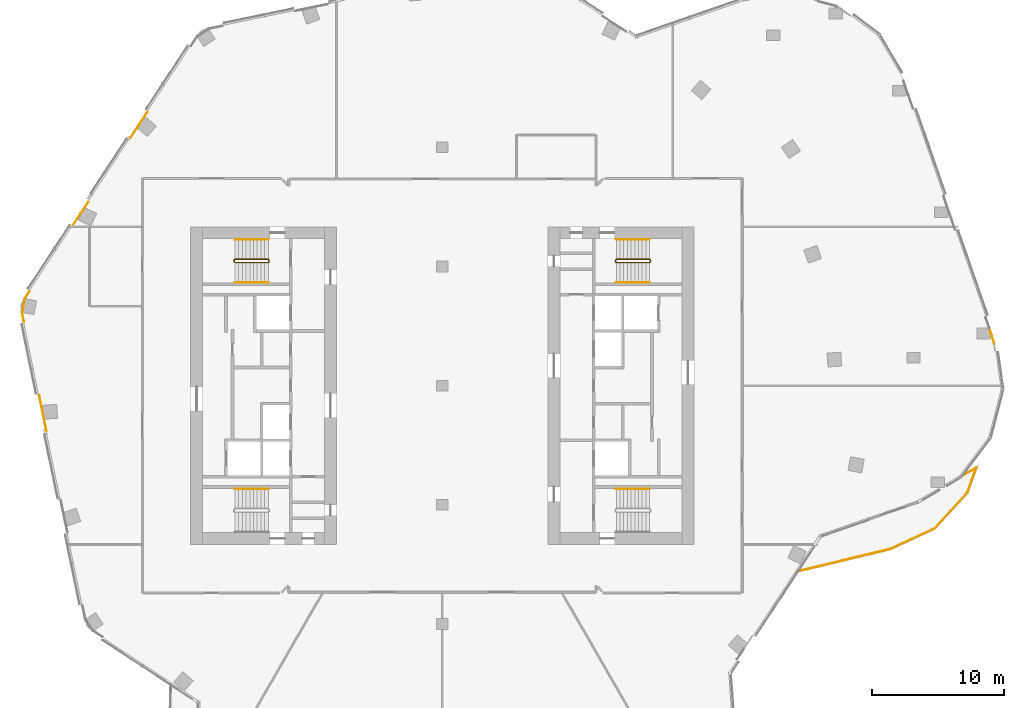
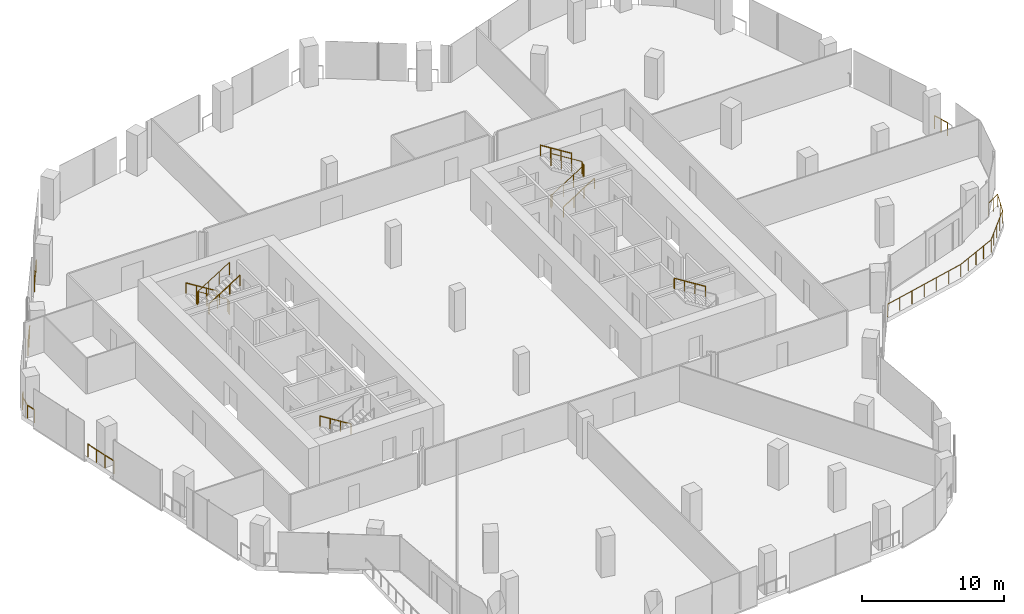
# One storey, part 24 of 26: 14 railings.
"""IFC4 building model written with IfcOpenShell, lengths in metres."""

from ifc_helpers import new_model, si_unit, direction, frame, origin, origin_2d, place, context, subcontext, project, spatial, circle, extrude, material, type_object, element, save


model = new_model("IFC4")

# Units and contexts
model_context = context("Model", 3, precision=1e-05, world=origin(), true_north=direction((0.0, 1.0)))
body_context = subcontext(model_context, "Body", "Model", "MODEL_VIEW")
ifc_project = project(units=[si_unit("LENGTHUNIT", "METRE"), si_unit("AREAUNIT", "SQUARE_METRE"), si_unit("VOLUMEUNIT", "CUBIC_METRE"), si_unit("PLANEANGLEUNIT", "RADIAN"), si_unit("MASSUNIT", "GRAM", prefix="KILO")], contexts=[model_context])

# Site, building, storey
site_placement = place(None, origin())
site = spatial("IfcSite", under=ifc_project, at=site_placement, CompositionType="ELEMENT")
building_placement = place(site_placement, origin())
building = spatial("IfcBuilding", under=site, at=building_placement, Name="Orlundy Tower", CompositionType="ELEMENT")
storey_placement = place(building_placement, frame((0.0, 0.0, 232.0)))
storey = spatial("IfcBuildingStorey", under=building, at=storey_placement, Name="L61", CompositionType="ELEMENT", Elevation=232.0)

# Railings
ifc_material_1 = material(Name="Steel balustrade", Category="steel")
railing_type_1 = type_object("IfcRailingType", Name="Stair Guard 1100", PredefinedType="GUARDRAIL", material=ifc_material_1)
railing_1_placement = place(storey_placement, frame((-13.090087890625, 9.5, 0.0)))
element("IfcRailing", 1, at=railing_1_placement, inside=storey, type_object=railing_type_1, Name="L61 ST-W1 stair guard 1", PredefinedType="GUARDRAIL", context=body_context, shape_type="SweptSolid", body=[
    extrude(circle(Radius=0.02392578125, at=origin_2d()), frame((0.0, 0.0, 1.076171875), z_axis=(0.0, -1.0, 0.0), x_axis=(1.0, 0.0, 0.0)), (0.0, 0.0, 1.0), 0.14990234375),
    extrude(circle(Radius=0.02392578125, at=origin_2d()), frame((0.0, -0.14990234375, 1.076171875), z_axis=(-0.18420542264, 0.739530593833, 0.647427882513), x_axis=(-0.970351222016, -0.241699205484, 0.0)), (0.0, 0.0, 1.0), 0.270263671875),
    extrude(circle(Radius=0.02392578125, at=origin_2d()), frame((-0.0498046875, 0.050048828125, 1.2509765625), z_axis=(-0.848007534815, 0.0, 0.529984170421), x_axis=(0.0, -1.0, 0.0)), (0.0, 0.0, 1.0), 2.9716796875),
    extrude(circle(Radius=0.02392578125, at=origin_2d()), frame((-2.56982421875, 0.050048828125, 2.826171875), z_axis=(-0.707106781187, -0.707106781187, 0.0), x_axis=(0.707106781187, -0.707106781187, 0.0)), (0.0, 0.0, 1.0), 0.07080078125),
    extrude(circle(Radius=0.02392578125, at=origin_2d()), frame((-2.619873046875, 0.0, 2.826171875), z_axis=(0.0, -1.0, 0.0), x_axis=(1.0, 0.0, 0.0)), (0.0, 0.0, 1.0), 0.14990234375),
    extrude(circle(Radius=0.02392578125, at=origin_2d()), frame((-2.619873046875, -0.14990234375, 2.826171875), z_axis=(0.265065253269, -0.265065253269, 0.927081885822), x_axis=(0.707106781187, 0.707106781187, 0.0)), (0.0, 0.0, 1.0), 0.188720703125),
    extrude(circle(Radius=0.02392578125, at=origin_2d()), frame((-2.56982421875, -0.199951171875, 3.0009765625), z_axis=(0.848007534815, 0.0, 0.529984170421), x_axis=(0.0, 1.0, 0.0)), (0.0, 0.0, 1.0), 2.9716796875),
    extrude(circle(Radius=0.02099609375, at=origin_2d()), origin(), (0.0, 0.0, 1.0), 1.052001953125),
    extrude(circle(Radius=0.02099609375, at=origin_2d()), frame((0.0, -0.14990234375, 0.0)), (0.0, 0.0, 1.0), 1.052001953125),
    extrude(circle(Radius=0.02099609375, at=origin_2d()), frame((-0.0498046875, 0.050048828125, 0.175048828125)), (0.0, 0.0, 1.0), 1.052001953125),
    extrude(circle(Radius=0.02099609375, at=origin_2d()), frame((-0.889892578125, 0.050048828125, 0.699951171875)), (0.0, 0.0, 1.0), 1.052001953125),
    extrude(circle(Radius=0.02099609375, at=origin_2d()), frame((-1.729736328125, 0.050048828125, 1.22509765625)), (0.0, 0.0, 1.0), 1.052001953125),
    extrude(circle(Radius=0.02099609375, at=origin_2d()), frame((-2.56982421875, 0.050048828125, 1.75)), (0.0, 0.0, 1.0), 1.052001953125),
    extrude(circle(Radius=0.02099609375, at=origin_2d()), frame((-2.619873046875, 0.0, 1.75)), (0.0, 0.0, 1.0), 1.052001953125),
    extrude(circle(Radius=0.02099609375, at=origin_2d()), frame((-2.619873046875, -0.14990234375, 1.75)), (0.0, 0.0, 1.0), 1.052001953125),
    extrude(circle(Radius=0.02099609375, at=origin_2d()), frame((-2.56982421875, -0.199951171875, 1.925048828125)), (0.0, 0.0, 1.0), 1.052001953125),
    extrude(circle(Radius=0.02099609375, at=origin_2d()), frame((-1.729736328125, -0.199951171875, 2.449951171875)), (0.0, 0.0, 1.0), 1.052001953125),
    extrude(circle(Radius=0.02099609375, at=origin_2d()), frame((-0.889892578125, -0.199951171875, 2.97509765625)), (0.0, 0.0, 1.0), 1.052001953125),
    extrude(circle(Radius=0.02099609375, at=origin_2d()), frame((-0.0498046875, -0.199951171875, 3.5)), (0.0, 0.0, 1.0), 1.052001953125),
])
railing_2_placement = place(storey_placement, frame((13.090087890625, 9.35009765625, 0.0)))
element("IfcRailing", 2, at=railing_2_placement, inside=storey, type_object=railing_type_1, Name="L61 ST-E2 stair guard 1", PredefinedType="GUARDRAIL", context=body_context, shape_type="SweptSolid", body=[
    extrude(circle(Radius=0.02392578125, at=origin_2d()), frame((0.0, 0.0, 1.076171875), z_axis=(0.0, 1.0, 0.0), x_axis=(-1.0, 0.0, 0.0)), (0.0, 0.0, 1.0), 0.14990234375),
    extrude(circle(Radius=0.02392578125, at=origin_2d()), frame((0.0, 0.14990234375, 1.076171875), z_axis=(0.18420542264, -0.739530593833, 0.647427882513), x_axis=(0.970351222016, 0.241699205484, 0.0)), (0.0, 0.0, 1.0), 0.270263671875),
    extrude(circle(Radius=0.02392578125, at=origin_2d()), frame((0.0498046875, -0.050048828125, 1.2509765625), z_axis=(0.848007534815, 0.0, 0.529984170421), x_axis=(0.0, 1.0, 0.0)), (0.0, 0.0, 1.0), 2.9716796875),
    extrude(circle(Radius=0.02392578125, at=origin_2d()), frame((2.56982421875, -0.050048828125, 2.826171875), z_axis=(0.707106781187, 0.707106781187, 0.0), x_axis=(-0.707106781187, 0.707106781187, 0.0)), (0.0, 0.0, 1.0), 0.07080078125),
    extrude(circle(Radius=0.02392578125, at=origin_2d()), frame((2.619873046875, 0.0, 2.826171875), z_axis=(0.0, 1.0, 0.0), x_axis=(-1.0, 0.0, 0.0)), (0.0, 0.0, 1.0), 0.14990234375),
    extrude(circle(Radius=0.02392578125, at=origin_2d()), frame((2.619873046875, 0.14990234375, 2.826171875), z_axis=(-0.265065253269, 0.265065253269, 0.927081885822), x_axis=(-0.707106781187, -0.707106781187, 0.0)), (0.0, 0.0, 1.0), 0.188720703125),
    extrude(circle(Radius=0.02392578125, at=origin_2d()), frame((2.56982421875, 0.199951171875, 3.0009765625), z_axis=(-0.848007534815, 0.0, 0.529984170421), x_axis=(0.0, -1.0, 0.0)), (0.0, 0.0, 1.0), 2.9716796875),
    extrude(circle(Radius=0.02099609375, at=origin_2d()), origin(), (0.0, 0.0, 1.0), 1.052001953125),
    extrude(circle(Radius=0.02099609375, at=origin_2d()), frame((0.0, 0.14990234375, 0.0)), (0.0, 0.0, 1.0), 1.052001953125),
    extrude(circle(Radius=0.02099609375, at=origin_2d()), frame((0.0498046875, -0.050048828125, 0.175048828125)), (0.0, 0.0, 1.0), 1.052001953125),
    extrude(circle(Radius=0.02099609375, at=origin_2d()), frame((0.889892578125, -0.050048828125, 0.699951171875)), (0.0, 0.0, 1.0), 1.052001953125),
    extrude(circle(Radius=0.02099609375, at=origin_2d()), frame((1.729736328125, -0.050048828125, 1.22509765625)), (0.0, 0.0, 1.0), 1.052001953125),
    extrude(circle(Radius=0.02099609375, at=origin_2d()), frame((2.56982421875, -0.050048828125, 1.75)), (0.0, 0.0, 1.0), 1.052001953125),
    extrude(circle(Radius=0.02099609375, at=origin_2d()), frame((2.619873046875, 0.0, 1.75)), (0.0, 0.0, 1.0), 1.052001953125),
    extrude(circle(Radius=0.02099609375, at=origin_2d()), frame((2.619873046875, 0.14990234375, 1.75)), (0.0, 0.0, 1.0), 1.052001953125),
    extrude(circle(Radius=0.02099609375, at=origin_2d()), frame((2.56982421875, 0.199951171875, 1.925048828125)), (0.0, 0.0, 1.0), 1.052001953125),
    extrude(circle(Radius=0.02099609375, at=origin_2d()), frame((1.729736328125, 0.199951171875, 2.449951171875)), (0.0, 0.0, 1.0), 1.052001953125),
    extrude(circle(Radius=0.02099609375, at=origin_2d()), frame((0.889892578125, 0.199951171875, 2.97509765625)), (0.0, 0.0, 1.0), 1.052001953125),
    extrude(circle(Radius=0.02099609375, at=origin_2d()), frame((0.0498046875, 0.199951171875, 3.5)), (0.0, 0.0, 1.0), 1.052001953125),
])
ifc_material_2 = material(Name="Steel handrail", Category="steel")
railing_type_2 = type_object("IfcRailingType", Name="Stair Handrail 900", PredefinedType="HANDRAIL", material=ifc_material_2)
railing_3_placement = place(storey_placement, frame((-13.139892578125, 11.050048828125, 0.175048828125)))
element("IfcRailing", 3, at=railing_3_placement, inside=storey, type_object=railing_type_2, Name="L61 ST-W1 stair handrail 1", PredefinedType="HANDRAIL", context=body_context, shape_type="SweptSolid", body=[
    extrude(circle(Radius=0.02392578125, at=origin_2d()), frame((0.0, 0.0, 0.8759765625), z_axis=(-0.848007534815, 0.0, 0.529984170421), x_axis=(0.0, -1.0, 0.0)), (0.0, 0.0, 1.0), 2.9716796875),
    extrude(circle(Radius=0.02099609375, at=origin_2d()), origin(), (0.0, 0.0, 1.0), 0.851806640625),
    extrude(circle(Radius=0.02099609375, at=origin_2d()), frame((-0.840087890625, 0.0, 0.52490234375)), (0.0, 0.0, 1.0), 0.851806640625),
    extrude(circle(Radius=0.02099609375, at=origin_2d()), frame((-1.679931640625, 0.0, 1.050048828125)), (0.0, 0.0, 1.0), 0.851806640625),
    extrude(circle(Radius=0.02099609375, at=origin_2d()), frame((-2.52001953125, 0.0, 1.574951171875)), (0.0, 0.0, 1.0), 0.851806640625),
])
railing_4_placement = place(storey_placement, frame((-15.659912109375, 7.800048828125, 1.925048828125)))
element("IfcRailing", 4, at=railing_4_placement, inside=storey, type_object=railing_type_2, Name="L61 ST-W1 stair handrail 2", PredefinedType="HANDRAIL", context=body_context, shape_type="SweptSolid", body=[
    extrude(circle(Radius=0.02392578125, at=origin_2d()), frame((0.0, 0.0, 0.8759765625), z_axis=(0.848007534815, 0.0, 0.529984170421), x_axis=(0.0, 1.0, 0.0)), (0.0, 0.0, 1.0), 2.9716796875),
    extrude(circle(Radius=0.02099609375, at=origin_2d()), origin(), (0.0, 0.0, 1.0), 0.851806640625),
    extrude(circle(Radius=0.02099609375, at=origin_2d()), frame((0.840087890625, 0.0, 0.52490234375)), (0.0, 0.0, 1.0), 0.851806640625),
    extrude(circle(Radius=0.02099609375, at=origin_2d()), frame((1.679931640625, 0.0, 1.050048828125)), (0.0, 0.0, 1.0), 0.851806640625),
    extrude(circle(Radius=0.02099609375, at=origin_2d()), frame((2.52001953125, 0.0, 1.574951171875)), (0.0, 0.0, 1.0), 0.851806640625),
])
for number, where, name in (
    (5, (-13.139892578125, -7.800048828125, 0.175048828125), "L61 ST-W2 stair handrail 1"),
    (6, (15.659912109375, -7.800048828125, 1.925048828125), "L61 ST-E1 stair handrail 2"),
):
    element("IfcRailing", number, at=place(storey_placement, frame(where)), inside=storey, type_object=railing_type_2, Name=name, PredefinedType="HANDRAIL", context=body_context, shape_type="SweptSolid", body=[
        extrude(circle(Radius=0.02392578125, at=origin_2d()), frame((0.0, 0.0, 0.8759765625), z_axis=(-0.848007534815, 0.0, 0.529984170421), x_axis=(0.0, -1.0, 0.0)), (0.0, 0.0, 1.0), 2.9716796875),
        extrude(circle(Radius=0.02099609375, at=origin_2d()), origin(), (0.0, 0.0, 1.0), 0.851806640625),
        extrude(circle(Radius=0.02099609375, at=origin_2d()), frame((-0.840087890625, 0.0, 0.52490234375)), (0.0, 0.0, 1.0), 0.851806640625),
        extrude(circle(Radius=0.02099609375, at=origin_2d()), frame((-1.679931640625, 0.0, 1.050048828125)), (0.0, 0.0, 1.0), 0.851806640625),
        extrude(circle(Radius=0.02099609375, at=origin_2d()), frame((-2.52001953125, 0.0, 1.574951171875)), (0.0, 0.0, 1.0), 0.851806640625),
    ])
railing_5_placement = place(storey_placement, frame((13.139892578125, 7.800048828125, 0.175048828125)))
element("IfcRailing", 7, at=railing_5_placement, inside=storey, type_object=railing_type_2, Name="L61 ST-E2 stair handrail 1", PredefinedType="HANDRAIL", context=body_context, shape_type="SweptSolid", body=[
    extrude(circle(Radius=0.02392578125, at=origin_2d()), frame((0.0, 0.0, 0.8759765625), z_axis=(0.848007534815, 0.0, 0.529984170421), x_axis=(0.0, 1.0, 0.0)), (0.0, 0.0, 1.0), 2.9716796875),
    extrude(circle(Radius=0.02099609375, at=origin_2d()), origin(), (0.0, 0.0, 1.0), 0.851806640625),
    extrude(circle(Radius=0.02099609375, at=origin_2d()), frame((0.840087890625, 0.0, 0.52490234375)), (0.0, 0.0, 1.0), 0.851806640625),
    extrude(circle(Radius=0.02099609375, at=origin_2d()), frame((1.679931640625, 0.0, 1.050048828125)), (0.0, 0.0, 1.0), 0.851806640625),
    extrude(circle(Radius=0.02099609375, at=origin_2d()), frame((2.52001953125, 0.0, 1.574951171875)), (0.0, 0.0, 1.0), 0.851806640625),
])
railing_6_placement = place(storey_placement, frame((15.659912109375, 11.050048828125, 1.925048828125)))
element("IfcRailing", 8, at=railing_6_placement, inside=storey, type_object=railing_type_2, Name="L61 ST-E2 stair handrail 2", PredefinedType="HANDRAIL", context=body_context, shape_type="SweptSolid", body=[
    extrude(circle(Radius=0.02392578125, at=origin_2d()), frame((0.0, 0.0, 0.8759765625), z_axis=(-0.848007534815, 0.0, 0.529984170421), x_axis=(0.0, -1.0, 0.0)), (0.0, 0.0, 1.0), 2.9716796875),
    extrude(circle(Radius=0.02099609375, at=origin_2d()), origin(), (0.0, 0.0, 1.0), 0.851806640625),
    extrude(circle(Radius=0.02099609375, at=origin_2d()), frame((-0.840087890625, 0.0, 0.52490234375)), (0.0, 0.0, 1.0), 0.851806640625),
    extrude(circle(Radius=0.02099609375, at=origin_2d()), frame((-1.679931640625, 0.0, 1.050048828125)), (0.0, 0.0, 1.0), 0.851806640625),
    extrude(circle(Radius=0.02099609375, at=origin_2d()), frame((-2.52001953125, 0.0, 1.574951171875)), (0.0, 0.0, 1.0), 0.851806640625),
])
ifc_material_3 = material(Name="Stainless steel bronze finish", Category="steel")
railing_type_3 = type_object("IfcRailingType", Name="TG1 terrace guard", PredefinedType="GUARDRAIL", material=ifc_material_3)
railing_7_placement = place(storey_placement, frame((-29.8837890625, -3.4287109375, 0.0)))
element("IfcRailing", 9, at=railing_7_placement, inside=storey, type_object=railing_type_3, Name="Guard TG-L61-E03", PredefinedType="GUARDRAIL", context=body_context, shape_type="SweptSolid", body=[
    extrude(circle(Radius=0.02490234375, at=origin_2d()), frame((0.0, 0.0, 1.09521484375), z_axis=(-0.202245280583, 0.979334900063, 0.0), x_axis=(-0.979334900063, -0.202245280583, 0.0)), (0.0, 0.0, 1.0), 2.755859375),
    extrude(circle(Radius=0.02001953125, at=origin_2d()), origin(), (0.0, 0.0, 1.0), 1.070068359375),
    extrude(circle(Radius=0.02001953125, at=origin_2d()), frame((-0.185791015625, 0.899658203125, 0.0)), (0.0, 0.0, 1.0), 1.070068359375),
    extrude(circle(Radius=0.02001953125, at=origin_2d()), frame((-0.37158203125, 1.79931640625, 0.0)), (0.0, 0.0, 1.0), 1.070068359375),
    extrude(circle(Radius=0.02001953125, at=origin_2d()), frame((-0.557373046875, 2.698974609375, 0.0)), (0.0, 0.0, 1.0), 1.070068359375),
])
railing_8_placement = place(storey_placement, frame((-31.58544921875, 4.811767578125, 0.0)))
element("IfcRailing", 10, at=railing_8_placement, inside=storey, type_object=railing_type_3, Name="Guard TG-L61-E011", PredefinedType="GUARDRAIL", context=body_context, shape_type="SweptSolid", body=[
    extrude(circle(Radius=0.02490234375, at=origin_2d()), frame((0.0, 0.0, 1.09521484375), z_axis=(-0.202332511066, 0.979316881793, 0.0), x_axis=(-0.979316881793, -0.202332511066, 0.0)), (0.0, 0.0, 1.0), 0.70947265625),
    extrude(circle(Radius=0.02490234375, at=origin_2d()), frame((-0.1435546875, 0.69482421875, 1.09521484375), z_axis=(0.188072270788, 0.982155191892, 0.0), x_axis=(-0.982155191892, 0.188072270788, 0.0)), (0.0, 0.0, 1.0), 1.10986328125),
    extrude(circle(Radius=0.02490234375, at=origin_2d()), frame((0.065185546875, 1.784912109375, 1.09521484375), z_axis=(0.549274735187, 0.835641828348, 0.0), x_axis=(-0.835641828348, 0.549274735187, 0.0)), (0.0, 0.0, 1.0), 0.603515625),
    extrude(circle(Radius=0.02001953125, at=origin_2d()), origin(), (0.0, 0.0, 1.0), 1.070068359375),
    extrude(circle(Radius=0.02001953125, at=origin_2d()), frame((-0.1435546875, 0.69482421875, 0.0)), (0.0, 0.0, 1.0), 1.070068359375),
    extrude(circle(Radius=0.02001953125, at=origin_2d()), frame((0.065185546875, 1.784912109375, 0.0)), (0.0, 0.0, 1.0), 1.070068359375),
    extrude(circle(Radius=0.02001953125, at=origin_2d()), frame((0.396728515625, 2.289306640625, 0.0)), (0.0, 0.0, 1.0), 1.070068359375),
])
railing_9_placement = place(storey_placement, frame((-23.555419921875, 18.70654296875, 0.0)))
element("IfcRailing", 11, at=railing_9_placement, inside=storey, type_object=railing_type_3, Name="Guard TG-L61-E013", PredefinedType="GUARDRAIL", context=body_context, shape_type="SweptSolid", body=[
    extrude(circle(Radius=0.02490234375, at=origin_2d()), frame((0.0, 0.0, 1.09521484375), z_axis=(0.549472324623, 0.835511917613, 0.0), x_axis=(-0.835511917613, 0.549472324623, 0.0)), (0.0, 0.0, 1.0), 2.332763671875),
    extrude(circle(Radius=0.02001953125, at=origin_2d()), origin(), (0.0, 0.0, 1.0), 1.070068359375),
    extrude(circle(Radius=0.02001953125, at=origin_2d()), frame((0.640869140625, 0.974609375, 0.0)), (0.0, 0.0, 1.0), 1.070068359375),
    extrude(circle(Radius=0.02001953125, at=origin_2d()), frame((1.28173828125, 1.948974609375, 0.0)), (0.0, 0.0, 1.0), 1.070068359375),
])
railing_10_placement = place(storey_placement, frame((-27.886962890625, 12.12109375, 0.0)))
element("IfcRailing", 12, at=railing_10_placement, inside=storey, type_object=railing_type_3, Name="Guard TG-L61-E015", PredefinedType="GUARDRAIL", context=body_context, shape_type="SweptSolid", body=[
    extrude(circle(Radius=0.02490234375, at=origin_2d()), frame((0.0, 0.0, 1.09521484375), z_axis=(0.549528790393, 0.835474780307, 0.0), x_axis=(-0.835474780307, 0.549528790393, 0.0)), (0.0, 0.0, 1.0), 2.09619140625),
    extrude(circle(Radius=0.02001953125, at=origin_2d()), origin(), (0.0, 0.0, 1.0), 1.070068359375),
    extrude(circle(Radius=0.02001953125, at=origin_2d()), frame((0.575927734375, 0.87548828125, 0.0)), (0.0, 0.0, 1.0), 1.070068359375),
    extrude(circle(Radius=0.02001953125, at=origin_2d()), frame((1.15185546875, 1.751220703125, 0.0)), (0.0, 0.0, 1.0), 1.070068359375),
])
railing_11_placement = place(storey_placement, frame((41.31591796875, 4.367919921875, 0.0)))
element("IfcRailing", 13, at=railing_11_placement, inside=storey, type_object=railing_type_3, Name="Guard TG-L61-E020", PredefinedType="GUARDRAIL", context=body_context, shape_type="SweptSolid", body=[
    extrude(circle(Radius=0.02490234375, at=origin_2d()), frame((0.0, 0.0, 1.09521484375), z_axis=(0.299242443172, -0.954177111549, 0.0), x_axis=(0.954177111549, 0.299242443172, 0.0)), (0.0, 0.0, 1.0), 1.25),
    extrude(circle(Radius=0.02001953125, at=origin_2d()), origin(), (0.0, 0.0, 1.0), 1.070068359375),
    extrude(circle(Radius=0.02001953125, at=origin_2d()), frame((0.18701171875, -0.59619140625, 0.0)), (0.0, 0.0, 1.0), 1.070068359375),
    extrude(circle(Radius=0.02001953125, at=origin_2d()), frame((0.3740234375, -1.192626953125, 0.0)), (0.0, 0.0, 1.0), 1.070068359375),
])
railing_12_placement = place(storey_placement, frame((39.247802734375, -6.832275390625, 0.0)))
element("IfcRailing", 14, at=railing_12_placement, inside=storey, type_object=railing_type_3, Name="Guard TG-L61-00", PredefinedType="GUARDRAIL", context=body_context, shape_type="SweptSolid", body=[
    extrude(circle(Radius=0.02490234375, at=origin_2d()), frame((0.0, 0.0, 1.09521484375), z_axis=(0.862196430054, 0.506574097247, 0.0), x_axis=(-0.506574097247, 0.862196430054, 0.0)), (0.0, 0.0, 1.0), 1.26806640625),
    extrude(circle(Radius=0.02490234375, at=origin_2d()), frame((1.09326171875, 0.642333984375, 1.09521484375), z_axis=(-0.343768443109, -0.939054448646, 0.0), x_axis=(0.939054448646, -0.343768443109, 0.0)), (0.0, 0.0, 1.0), 2.051025390625),
    extrude(circle(Radius=0.02490234375, at=origin_2d()), frame((0.38818359375, -1.28369140625, 1.09521484375), z_axis=(-0.678741565223, -0.73437721073, 0.0), x_axis=(0.73437721073, -0.678741565223, 0.0)), (0.0, 0.0, 1.0), 3.66845703125),
    extrude(circle(Radius=0.02490234375, at=origin_2d()), frame((-2.101806640625, -3.977783203125, 1.09521484375), z_axis=(-0.908173046729, -0.418594932118, 0.0), x_axis=(0.418594932118, -0.908173046729, 0.0)), (0.0, 0.0, 1.0), 3.6767578125),
    extrude(circle(Radius=0.02490234375, at=origin_2d()), frame((-5.44091796875, -5.516845703125, 1.09521484375), z_axis=(-0.972361154101, -0.23348187509, 0.0), x_axis=(0.23348187509, -0.972361154101, 0.0)), (0.0, 0.0, 1.0), 7.120849609375),
    extrude(circle(Radius=0.02001953125, at=origin_2d()), origin(), (0.0, 0.0, 1.0), 1.070068359375),
    extrude(circle(Radius=0.02001953125, at=origin_2d()), frame((0.546630859375, 0.3212890625, 0.0)), (0.0, 0.0, 1.0), 1.070068359375),
    extrude(circle(Radius=0.02001953125, at=origin_2d()), frame((1.09326171875, 0.642333984375, 0.0)), (0.0, 0.0, 1.0), 1.070068359375),
    extrude(circle(Radius=0.02001953125, at=origin_2d()), frame((0.74072265625, -0.32080078125, 0.0)), (0.0, 0.0, 1.0), 1.070068359375),
    extrude(circle(Radius=0.02001953125, at=origin_2d()), frame((0.38818359375, -1.28369140625, 0.0)), (0.0, 0.0, 1.0), 1.070068359375),
    extrude(circle(Radius=0.02001953125, at=origin_2d()), frame((-0.234375, -1.957275390625, 0.0)), (0.0, 0.0, 1.0), 1.070068359375),
    extrude(circle(Radius=0.02001953125, at=origin_2d()), frame((-0.85693359375, -2.630859375, 0.0)), (0.0, 0.0, 1.0), 1.070068359375),
    extrude(circle(Radius=0.02001953125, at=origin_2d()), frame((-1.479248046875, -3.30419921875, 0.0)), (0.0, 0.0, 1.0), 1.070068359375),
    extrude(circle(Radius=0.02001953125, at=origin_2d()), frame((-2.101806640625, -3.977783203125, 0.0)), (0.0, 0.0, 1.0), 1.070068359375),
    extrude(circle(Radius=0.02001953125, at=origin_2d()), frame((-2.9365234375, -4.362548828125, 0.0)), (0.0, 0.0, 1.0), 1.070068359375),
    extrude(circle(Radius=0.02001953125, at=origin_2d()), frame((-3.771484375, -4.747314453125, 0.0)), (0.0, 0.0, 1.0), 1.070068359375),
    extrude(circle(Radius=0.02001953125, at=origin_2d()), frame((-4.606201171875, -5.132080078125, 0.0)), (0.0, 0.0, 1.0), 1.070068359375),
    extrude(circle(Radius=0.02001953125, at=origin_2d()), frame((-5.44091796875, -5.516845703125, 0.0)), (0.0, 0.0, 1.0), 1.070068359375),
    extrude(circle(Radius=0.02001953125, at=origin_2d()), frame((-6.594970703125, -5.7939453125, 0.0)), (0.0, 0.0, 1.0), 1.070068359375),
    extrude(circle(Radius=0.02001953125, at=origin_2d()), frame((-7.7490234375, -6.071044921875, 0.0)), (0.0, 0.0, 1.0), 1.070068359375),
    extrude(circle(Radius=0.02001953125, at=origin_2d()), frame((-8.90283203125, -6.34814453125, 0.0)), (0.0, 0.0, 1.0), 1.070068359375),
    extrude(circle(Radius=0.02001953125, at=origin_2d()), frame((-10.056884765625, -6.625244140625, 0.0)), (0.0, 0.0, 1.0), 1.070068359375),
    extrude(circle(Radius=0.02001953125, at=origin_2d()), frame((-11.2109375, -6.90234375, 0.0)), (0.0, 0.0, 1.0), 1.070068359375),
    extrude(circle(Radius=0.02001953125, at=origin_2d()), frame((-12.364990234375, -7.179443359375, 0.0)), (0.0, 0.0, 1.0), 1.070068359375),
])

save(model, "model.ifc")
